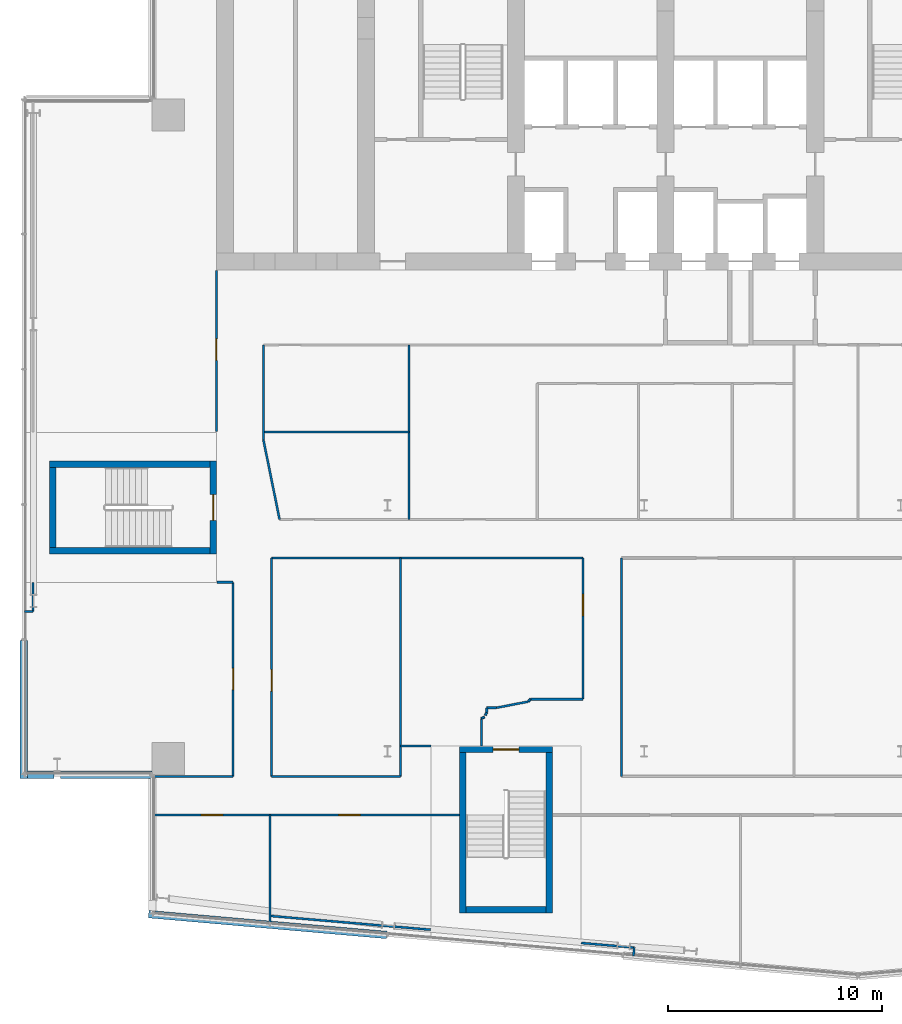
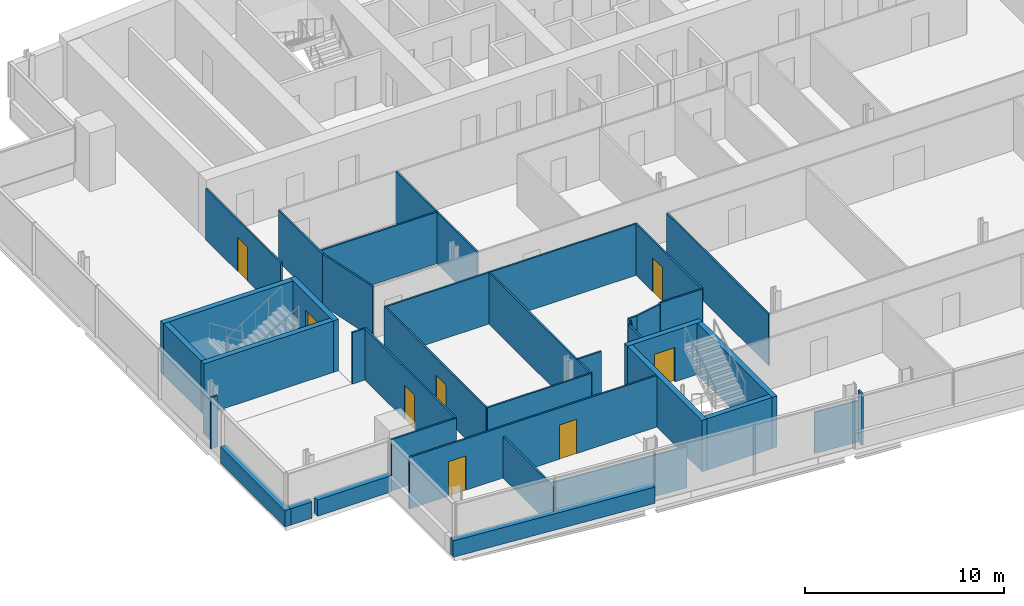
# One storey, part 15 of 24: 42 walls, 8 doors, 8 openings.
"""IFC4 building model written with IfcOpenShell, lengths in metres."""

from ifc_helpers import new_model, si_unit, direction, frame, frame_2d, origin, place, context, subcontext, project, spatial, rectangle, extrude, material, layer, layer_set, type_object, element, fill, save


model = new_model("IFC4")

# Units and contexts
model_context = context("Model", 3, precision=1e-05, world=origin(), true_north=direction((0.0, 1.0)))
body_context = subcontext(model_context, "Body", "Model", "MODEL_VIEW")
ifc_project = project(units=[si_unit("LENGTHUNIT", "METRE"), si_unit("AREAUNIT", "SQUARE_METRE"), si_unit("VOLUMEUNIT", "CUBIC_METRE"), si_unit("PLANEANGLEUNIT", "RADIAN"), si_unit("MASSUNIT", "GRAM", prefix="KILO")], contexts=[model_context])

# Site, building, storey
site_placement = place(None, origin())
site = spatial("IfcSite", under=ifc_project, at=site_placement, CompositionType="ELEMENT")
building_placement = place(site_placement, origin())
building = spatial("IfcBuilding", under=site, at=building_placement, Name="Wharfspan Tower", CompositionType="ELEMENT")
storey_placement = place(building_placement, frame((0.0, 0.0, 198.699951)))
storey = spatial("IfcBuildingStorey", under=building, at=storey_placement, Name="L49", CompositionType="ELEMENT", Elevation=198.699951)

# Wall, openings, doors
ifc_material_1 = material(Name="Gypsum board on steel studs", Category="steel")
ifc_layer_1 = layer(ifc_material_1, 0.100098)
ifc_layer_set_1 = layer_set([ifc_layer_1], Name="Gypsum board on steel studs")
wall_type_1 = type_object("IfcWallType", Name="Compartment wall 100 EI 60", PredefinedType="PARTITIONING", material=ifc_layer_set_1)
wall_1_placement = place(storey_placement, frame((13.02002, 8.52002, 0.0), z_axis=(0.0, 0.0, 1.0), x_axis=(1.0, 0.0, 0.0)))
wall_1 = element("IfcWall", 1, at=wall_1_placement, inside=storey, type_object=wall_type_1, Name="Partition L49.w004", PredefinedType="PARTITIONING", context=body_context, shape_type="SweptSolid", body=[
    extrude(rectangle(XDim=14.344238, YDim=0.100098, at=frame_2d((7.172119, 0.0))), origin(), (0.0, 0.0, 1.0), 3.150146),
])
opening_1_placement = place(wall_1_placement, frame((2.280029, 0.0, 0.0)))
opening_1 = element("IfcOpeningElement", 2, at=opening_1_placement, cuts=wall_1, Name="Opening C6-01", PredefinedType="OPENING", context=body_context, shape_type="SweptSolid", body=[
    extrude(rectangle(XDim=1.0, YDim=2.100098, at=frame_2d((0.5, 1.050049))), frame((0.0, 0.060059, 0.0), z_axis=(0.0, -1.0, 0.0), x_axis=(1.0, 0.0, 0.0)), (0.0, 0.0, 1.0), 0.120117),
])
opening_2_placement = place(wall_1_placement, frame((8.699951, 0.0, 0.0)))
opening_2 = element("IfcOpeningElement", 3, at=opening_2_placement, cuts=wall_1, Name="Opening C6-02", PredefinedType="OPENING", context=body_context, shape_type="SweptSolid", body=[
    extrude(rectangle(XDim=1.0, YDim=2.100098, at=frame_2d((0.5, 1.050049))), frame((0.0, 0.060059, 0.0), z_axis=(0.0, -1.0, 0.0), x_axis=(1.0, 0.0, 0.0)), (0.0, 0.0, 1.0), 0.120117),
])
ifc_material_2 = material(Name="Fire-rated timber door leaf in steel frame", Category="steel")
door_type_1 = type_object("IfcDoorType", Name="Door 1000 FD30S Left", OperationType="SINGLE_SWING_LEFT", PredefinedType="DOOR", material=ifc_material_2)
door_1_placement = place(opening_1_placement, origin())
door_1 = element("IfcDoor", 4, at=door_1_placement, inside=storey, type_object=door_type_1, Name="Door C6-01", OperationType="SINGLE_SWING_LEFT", OverallHeight=2.100098, OverallWidth=1.0, PredefinedType="DOOR", context=body_context, shape_type="SweptSolid", body=[
    extrude(rectangle(XDim=1.0, YDim=2.100098, at=frame_2d((0.5, 1.050049))), frame((0.0, 0.024902, 0.0), z_axis=(0.0, -1.0, 0.0), x_axis=(1.0, 0.0, 0.0)), (0.0, 0.0, 1.0), 0.050049),
])
fill(opening_1, door_1)
door_type_2 = type_object("IfcDoorType", Name="Door 1000 FD30S Right", OperationType="SINGLE_SWING_RIGHT", PredefinedType="DOOR", material=ifc_material_2)
door_2_placement = place(opening_2_placement, origin())
door_2 = element("IfcDoor", 5, at=door_2_placement, inside=storey, type_object=door_type_2, Name="Door C6-02", OperationType="SINGLE_SWING_RIGHT", OverallHeight=2.100098, OverallWidth=1.0, PredefinedType="DOOR", context=body_context, shape_type="SweptSolid", body=[
    extrude(rectangle(XDim=1.0, YDim=2.100098, at=frame_2d((0.5, 1.050049))), frame((0.0, 0.024902, 0.0), z_axis=(0.0, -1.0, 0.0), x_axis=(1.0, 0.0, 0.0)), (0.0, 0.0, 1.0), 0.050049),
])
fill(opening_2, door_2)

# Wall
wall_2_placement = place(storey_placement, frame((13.02002, 10.324951, 0.0), z_axis=(0.0, 0.0, 1.0), x_axis=(1.0, 0.0, 0.0)))
element("IfcWall", 6, at=wall_2_placement, inside=storey, type_object=wall_type_1, Name="Partition L49.w005", PredefinedType="PARTITIONING", context=body_context, shape_type="SweptSolid", body=[
    extrude(rectangle(XDim=3.764893, YDim=0.100098, at=frame_2d((1.882324, 0.0))), origin(), (0.0, 0.0, 1.0), 3.150146),
])

# Wall, opening, door
wall_3_placement = place(storey_placement, frame((16.0, 26.449951, 0.0), z_axis=(0.0, 0.0, 1.0), x_axis=(0.0, 1.0, 0.0)))
wall_3 = element("IfcWall", 7, at=wall_3_placement, inside=storey, type_object=wall_type_1, Name="Partition L49.w006", PredefinedType="PARTITIONING", context=body_context, shape_type="SweptSolid", body=[
    extrude(rectangle(XDim=7.530029, YDim=0.100098, at=frame_2d((3.765137, 0.0))), origin(), (0.0, 0.0, 1.0), 3.150146),
])
opening_3_placement = place(wall_3_placement, frame((3.330078, 0.0, 0.0)))
opening_3 = element("IfcOpeningElement", 8, at=opening_3_placement, cuts=wall_3, Name="Opening C6-23", PredefinedType="OPENING", context=body_context, shape_type="SweptSolid", body=[
    extrude(rectangle(XDim=1.0, YDim=2.100098, at=frame_2d((0.5, 1.050049))), frame((0.0, 0.060059, 0.0), z_axis=(0.0, -1.0, 0.0), x_axis=(1.0, 0.0, 0.0)), (0.0, 0.0, 1.0), 0.120117),
])
door_3_placement = place(opening_3_placement, origin())
door_3 = element("IfcDoor", 9, at=door_3_placement, inside=storey, type_object=door_type_2, Name="Door C6-23", OperationType="SINGLE_SWING_RIGHT", OverallHeight=2.100098, OverallWidth=1.0, PredefinedType="DOOR", context=body_context, shape_type="SweptSolid", body=[
    extrude(rectangle(XDim=1.0, YDim=2.100098, at=frame_2d((0.5, 1.050049))), frame((0.0, 0.024902, 0.0), z_axis=(0.0, -1.0, 0.0), x_axis=(1.0, 0.0, 0.0)), (0.0, 0.0, 1.0), 0.050049),
])
fill(opening_3, door_3)

# Wall
wall_4_placement = place(storey_placement, frame((16.02002, 19.399902, 0.0), z_axis=(0.0, 0.0, 1.0), x_axis=(1.0, 0.0, 0.0)))
element("IfcWall", 10, at=wall_4_placement, inside=storey, type_object=wall_type_1, Name="Partition L49.w007", PredefinedType="PARTITIONING", context=body_context, shape_type="SweptSolid", body=[
    extrude(rectangle(XDim=0.764893, YDim=0.100098, at=frame_2d((0.382324, 0.0))), origin(), (0.0, 0.0, 1.0), 3.150146),
])

# Wall, opening, door
wall_5_placement = place(storey_placement, frame((16.784912, 10.324951, 0.0), z_axis=(0.0, 0.0, 1.0), x_axis=(0.0, 1.0, 0.0)))
wall_5 = element("IfcWall", 11, at=wall_5_placement, inside=storey, type_object=wall_type_1, Name="Partition L49.w008", PredefinedType="PARTITIONING", context=body_context, shape_type="SweptSolid", body=[
    extrude(rectangle(XDim=9.074951, YDim=0.100098, at=frame_2d((4.537598, 0.0))), origin(), (0.0, 0.0, 1.0), 3.150146),
])
opening_4_placement = place(wall_5_placement, frame((4.054932, 0.0, 0.0)))
opening_4 = element("IfcOpeningElement", 12, at=opening_4_placement, cuts=wall_5, Name="Opening C6-13", PredefinedType="OPENING", context=body_context, shape_type="SweptSolid", body=[
    extrude(rectangle(XDim=1.0, YDim=2.100098, at=frame_2d((0.5, 1.050049))), frame((0.0, 0.060059, 0.0), z_axis=(0.0, -1.0, 0.0), x_axis=(1.0, 0.0, 0.0)), (0.0, 0.0, 1.0), 0.120117),
])
door_4_placement = place(opening_4_placement, origin())
door_4 = element("IfcDoor", 13, at=door_4_placement, inside=storey, type_object=door_type_2, Name="Door C6-13", OperationType="SINGLE_SWING_RIGHT", OverallHeight=2.100098, OverallWidth=1.0, PredefinedType="DOOR", context=body_context, shape_type="SweptSolid", body=[
    extrude(rectangle(XDim=1.0, YDim=2.100098, at=frame_2d((0.5, 1.050049))), frame((0.0, 0.024902, 0.0), z_axis=(0.0, -1.0, 0.0), x_axis=(1.0, 0.0, 0.0)), (0.0, 0.0, 1.0), 0.050049),
])
fill(opening_4, door_4)

# Walls
wall_6_placement = place(storey_placement, frame((18.199951, 26.060059, 0.0), z_axis=(0.0, 0.0, 1.0), x_axis=(0.0, 1.0, 0.0)))
element("IfcWall", 14, at=wall_6_placement, inside=storey, type_object=wall_type_1, Name="Partition L49.w009", PredefinedType="PARTITIONING", context=body_context, shape_type="SweptSolid", body=[
    extrude(rectangle(XDim=4.439941, YDim=0.100098, at=frame_2d((2.219971, 0.0))), origin(), (0.0, 0.0, 1.0), 3.150146),
])
wall_7_placement = place(storey_placement, frame((18.199951, 26.419922, 0.0), z_axis=(0.0, 0.0, 1.0), x_axis=(1.0, 0.0, 0.0)))
element("IfcWall", 15, at=wall_7_placement, inside=storey, type_object=wall_type_1, Name="Partition L49.w010", PredefinedType="PARTITIONING", context=body_context, shape_type="SweptSolid", body=[
    extrude(rectangle(XDim=6.800049, YDim=0.100098, at=frame_2d((3.399902, 0.0))), origin(), (0.0, 0.0, 1.0), 3.150146),
])
wall_8_placement = place(storey_placement, frame((18.5, 3.425049, 0.0), z_axis=(0.0, 0.0, 1.0), x_axis=(0.0, 1.0, 0.0)))
element("IfcWall", 16, at=wall_8_placement, inside=storey, type_object=wall_type_1, Name="Partition L49.w012", PredefinedType="PARTITIONING", context=body_context, shape_type="SweptSolid", body=[
    extrude(rectangle(XDim=5.094971, YDim=0.100098, at=frame_2d((2.547363, 0.0))), origin(), (0.0, 0.0, 1.0), 2.530029),
])

# Wall, opening, door
wall_9_placement = place(storey_placement, frame((18.584961, 10.324951, 0.0), z_axis=(0.0, 0.0, 1.0), x_axis=(0.0, 1.0, 0.0)))
wall_9 = element("IfcWall", 17, at=wall_9_placement, inside=storey, type_object=wall_type_1, Name="Partition L49.w014", PredefinedType="PARTITIONING", context=body_context, shape_type="SweptSolid", body=[
    extrude(rectangle(XDim=10.209961, YDim=0.100098, at=frame_2d((5.10498, 0.0))), origin(), (0.0, 0.0, 1.0), 3.150146),
])
opening_5_placement = place(wall_9_placement, frame((3.98999, 0.0, 0.0)))
opening_5 = element("IfcOpeningElement", 18, at=opening_5_placement, cuts=wall_9, Name="Opening C6-12", PredefinedType="OPENING", context=body_context, shape_type="SweptSolid", body=[
    extrude(rectangle(XDim=1.0, YDim=2.100098, at=frame_2d((0.5, 1.050049))), frame((0.0, 0.060059, 0.0), z_axis=(0.0, -1.0, 0.0), x_axis=(1.0, 0.0, 0.0)), (0.0, 0.0, 1.0), 0.120117),
])
door_5_placement = place(opening_5_placement, origin())
door_5 = element("IfcDoor", 19, at=door_5_placement, inside=storey, type_object=door_type_1, Name="Door C6-12", OperationType="SINGLE_SWING_LEFT", OverallHeight=2.100098, OverallWidth=1.0, PredefinedType="DOOR", context=body_context, shape_type="SweptSolid", body=[
    extrude(rectangle(XDim=1.0, YDim=2.100098, at=frame_2d((0.5, 1.050049))), frame((0.0, 0.024902, 0.0), z_axis=(0.0, -1.0, 0.0), x_axis=(1.0, 0.0, 0.0)), (0.0, 0.0, 1.0), 0.050049),
])
fill(opening_5, door_5)

# Walls
wall_10_placement = place(storey_placement, frame((18.584961, 10.324951, 0.0), z_axis=(0.0, 0.0, 1.0), x_axis=(1.0, 0.0, 0.0)))
element("IfcWall", 20, at=wall_10_placement, inside=storey, type_object=wall_type_1, Name="Partition L49.w015", PredefinedType="PARTITIONING", context=body_context, shape_type="SweptSolid", body=[
    extrude(rectangle(XDim=6.030029, YDim=0.100098, at=frame_2d((3.015137, 0.0))), origin(), (0.0, 0.0, 1.0), 3.150146),
])
wall_11_placement = place(storey_placement, frame((18.584961, 20.534912, 0.0), z_axis=(0.0, 0.0, 1.0), x_axis=(1.0, 0.0, 0.0)))
element("IfcWall", 21, at=wall_11_placement, inside=storey, type_object=wall_type_1, Name="Partition L49.w016", PredefinedType="PARTITIONING", context=body_context, shape_type="SweptSolid", body=[
    extrude(rectangle(XDim=14.554932, YDim=0.100098, at=frame_2d((7.277344, 0.0))), origin(), (0.0, 0.0, 1.0), 3.150146),
])
wall_12_placement = place(storey_placement, frame((18.955078, 22.340088, 0.0), z_axis=(0.0, 0.0, 1.0), x_axis=(-0.198935, 0.980011, 0.0)))
element("IfcWall", 22, at=wall_12_placement, inside=storey, type_object=wall_type_1, Name="Partition L49.w017", PredefinedType="PARTITIONING", context=body_context, shape_type="SweptSolid", body=[
    extrude(rectangle(XDim=3.795898, YDim=0.100098, at=frame_2d((1.897949, 0.0))), origin(), (0.0, 0.0, 1.0), 3.150146),
])
wall_13_placement = place(storey_placement, frame((24.61499, 10.324951, 0.0), z_axis=(0.0, 0.0, 1.0), x_axis=(0.0, 1.0, 0.0)))
element("IfcWall", 23, at=wall_13_placement, inside=storey, type_object=wall_type_1, Name="Partition L49.w019", PredefinedType="PARTITIONING", context=body_context, shape_type="SweptSolid", body=[
    extrude(rectangle(XDim=10.209961, YDim=0.100098, at=frame_2d((5.10498, 0.0))), origin(), (0.0, 0.0, 1.0), 3.150146),
])
wall_14_placement = place(storey_placement, frame((24.620117, 11.745117, 0.0), z_axis=(0.0, 0.0, 1.0), x_axis=(1.0, 0.0, 0.0)))
element("IfcWall", 24, at=wall_14_placement, inside=storey, type_object=wall_type_1, Name="Partition L49.w020", PredefinedType="PARTITIONING", context=body_context, shape_type="SweptSolid", body=[
    extrude(rectangle(XDim=1.406738, YDim=0.100098, at=frame_2d((0.703369, 0.0))), origin(), (0.0, 0.0, 1.0), 3.150146),
])
wall_15_placement = place(storey_placement, frame((25.0, 22.340088, 0.0), z_axis=(0.0, 0.0, 1.0), x_axis=(0.0, 1.0, 0.0)))
element("IfcWall", 25, at=wall_15_placement, inside=storey, type_object=wall_type_1, Name="Partition L49.w021", PredefinedType="PARTITIONING", context=body_context, shape_type="SweptSolid", body=[
    extrude(rectangle(XDim=8.159912, YDim=0.100098, at=frame_2d((4.080078, 0.0))), origin(), (0.0, 0.0, 1.0), 3.150146),
])
wall_16_placement = place(storey_placement, frame((28.389893, 13.034912, 0.0), z_axis=(0.0, 0.0, 1.0), x_axis=(0.900411, 0.435047, 0.0)))
element("IfcWall", 26, at=wall_16_placement, inside=storey, type_object=wall_type_1, Name="Partition L49.w023", PredefinedType="PARTITIONING", context=body_context, shape_type="SweptSolid", body=[
    extrude(rectangle(XDim=0.161133, YDim=0.100098, at=frame_2d((0.080566, 0.0))), origin(), (0.0, 0.0, 1.0), 3.150146),
])
wall_17_placement = place(storey_placement, frame((28.389893, 11.754395, 0.0), z_axis=(0.0, 0.0, 1.0), x_axis=(0.0, 1.0, 0.0)))
element("IfcWall", 27, at=wall_17_placement, inside=storey, type_object=wall_type_1, Name="Partition L49.w024", PredefinedType="PARTITIONING", context=body_context, shape_type="SweptSolid", body=[
    extrude(rectangle(XDim=1.280518, YDim=0.100098, at=frame_2d((0.640137, 0.0))), origin(), (0.0, 0.0, 1.0), 3.150146),
])
wall_18_placement = place(storey_placement, frame((28.574951, 13.185059, 0.0), z_axis=(0.0, 0.0, 1.0), x_axis=(0.461027, 0.88739, 0.0)))
element("IfcWall", 28, at=wall_18_placement, inside=storey, type_object=wall_type_1, Name="Partition L49.w025", PredefinedType="PARTITIONING", context=body_context, shape_type="SweptSolid", body=[
    extrude(rectangle(XDim=0.140869, YDim=0.100098, at=frame_2d((0.070312, 0.0))), origin(), (0.0, 0.0, 1.0), 3.150146),
])
wall_19_placement = place(storey_placement, frame((28.639893, 13.310059, 0.0), z_axis=(0.0, 0.0, 1.0), x_axis=(0.0, 1.0, 0.0)))
element("IfcWall", 29, at=wall_19_placement, inside=storey, type_object=wall_type_1, Name="Partition L49.w026", PredefinedType="PARTITIONING", context=body_context, shape_type="SweptSolid", body=[
    extrude(rectangle(XDim=0.224854, YDim=0.100098, at=frame_2d((0.112305, 0.0))), origin(), (0.0, 0.0, 1.0), 3.150146),
])
wall_20_placement = place(storey_placement, frame((28.639893, 13.534912, 0.0), z_axis=(0.0, 0.0, 1.0), x_axis=(1.0, 0.0, 0.0)))
element("IfcWall", 30, at=wall_20_placement, inside=storey, type_object=wall_type_1, Name="Partition L49.w027", PredefinedType="PARTITIONING", context=body_context, shape_type="SweptSolid", body=[
    extrude(rectangle(XDim=0.460205, YDim=0.100098, at=frame_2d((0.22998, 0.0))), origin(), (0.0, 0.0, 1.0), 3.150146),
])
wall_21_placement = place(storey_placement, frame((29.100098, 13.534912, 0.0), z_axis=(0.0, 0.0, 1.0), x_axis=(0.981576, 0.191072, 0.0)))
element("IfcWall", 31, at=wall_21_placement, inside=storey, type_object=wall_type_1, Name="Partition L49.w028", PredefinedType="PARTITIONING", context=body_context, shape_type="SweptSolid", body=[
    extrude(rectangle(XDim=1.518066, YDim=0.100098, at=frame_2d((0.759033, 0.0))), origin(), (0.0, 0.0, 1.0), 3.150146),
])
wall_22_placement = place(storey_placement, frame((30.590088, 13.824951, 0.0), z_axis=(0.0, 0.0, 1.0), x_axis=(0.671773, 0.740757, 0.0)))
element("IfcWall", 32, at=wall_22_placement, inside=storey, type_object=wall_type_1, Name="Partition L49.w029", PredefinedType="PARTITIONING", context=body_context, shape_type="SweptSolid", body=[
    extrude(rectangle(XDim=0.148682, YDim=0.100098, at=frame_2d((0.074219, 0.0))), origin(), (0.0, 0.0, 1.0), 3.150146),
])
wall_23_placement = place(storey_placement, frame((30.689941, 13.935059, 0.0), z_axis=(0.0, 0.0, 1.0), x_axis=(1.0, 0.0, 0.0)))
element("IfcWall", 33, at=wall_23_placement, inside=storey, type_object=wall_type_1, Name="Partition L49.w030", PredefinedType="PARTITIONING", context=body_context, shape_type="SweptSolid", body=[
    extrude(rectangle(XDim=2.449951, YDim=0.100098, at=frame_2d((1.225098, 0.0))), origin(), (0.0, 0.0, 1.0), 3.150146),
])

# Wall, opening, door
wall_24_placement = place(storey_placement, frame((33.139893, 13.935059, 0.0), z_axis=(0.0, 0.0, 1.0), x_axis=(0.0, 1.0, 0.0)))
wall_24 = element("IfcWall", 34, at=wall_24_placement, inside=storey, type_object=wall_type_1, Name="Partition L49.w034", PredefinedType="PARTITIONING", context=body_context, shape_type="SweptSolid", body=[
    extrude(rectangle(XDim=6.599854, YDim=0.100098, at=frame_2d((3.299805, 0.0))), origin(), (0.0, 0.0, 1.0), 3.150146),
])
opening_6_placement = place(wall_24_placement, frame((3.905029, 0.0, 0.0)))
opening_6 = element("IfcOpeningElement", 35, at=opening_6_placement, cuts=wall_24, Name="Opening C6-14", PredefinedType="OPENING", context=body_context, shape_type="SweptSolid", body=[
    extrude(rectangle(XDim=1.0, YDim=2.100098, at=frame_2d((0.5, 1.050049))), frame((0.0, 0.060059, 0.0), z_axis=(0.0, -1.0, 0.0), x_axis=(1.0, 0.0, 0.0)), (0.0, 0.0, 1.0), 0.120117),
])
door_6_placement = place(opening_6_placement, origin())
door_6 = element("IfcDoor", 36, at=door_6_placement, inside=storey, type_object=door_type_2, Name="Door C6-14", OperationType="SINGLE_SWING_RIGHT", OverallHeight=2.100098, OverallWidth=1.0, PredefinedType="DOOR", context=body_context, shape_type="SweptSolid", body=[
    extrude(rectangle(XDim=1.0, YDim=2.100098, at=frame_2d((0.5, 1.050049))), frame((0.0, 0.024902, 0.0), z_axis=(0.0, -1.0, 0.0), x_axis=(1.0, 0.0, 0.0)), (0.0, 0.0, 1.0), 0.050049),
])
fill(opening_6, door_6)

# Walls
wall_25_placement = place(storey_placement, frame((34.945068, 10.324951, 0.0), z_axis=(0.0, 0.0, 1.0), x_axis=(0.0, 1.0, 0.0)))
element("IfcWall", 37, at=wall_25_placement, inside=storey, type_object=wall_type_1, Name="Partition L49.w035", PredefinedType="PARTITIONING", context=body_context, shape_type="SweptSolid", body=[
    extrude(rectangle(XDim=10.209961, YDim=0.100098, at=frame_2d((5.10498, 0.0))), origin(), (0.0, 0.0, 1.0), 3.150146),
])
ifc_layer_2 = layer(ifc_material_1, 0.100098)
ifc_layer_set_2 = layer_set([ifc_layer_2], Name="Gypsum board on steel studs")
wall_type_2 = type_object("IfcWallType", Name="Partition 100", PredefinedType="PARTITIONING", material=ifc_layer_set_2)
wall_26_placement = place(storey_placement, frame((7.02002, 18.034912, 0.0), z_axis=(0.0, 0.0, 1.0), x_axis=(1.0, 0.0, 0.0)))
element("IfcWall", 38, at=wall_26_placement, inside=storey, type_object=wall_type_2, Name="Partition L49.w001", PredefinedType="PARTITIONING", context=body_context, shape_type="SweptSolid", body=[
    extrude(rectangle(XDim=0.399902, YDim=0.100098, at=frame_2d((0.199951, 0.0))), origin(), (0.0, 0.0, 1.0), 3.150146),
])
wall_27_placement = place(storey_placement, frame((7.419922, 18.034912, 0.0), z_axis=(0.0, 0.0, 1.0), x_axis=(0.0, 1.0, 0.0)))
element("IfcWall", 39, at=wall_27_placement, inside=storey, type_object=wall_type_2, Name="Partition L49.w002", PredefinedType="PARTITIONING", context=body_context, shape_type="SweptSolid", body=[
    extrude(rectangle(XDim=1.344971, YDim=0.100098, at=frame_2d((0.672363, 0.0))), origin(), (0.0, 0.0, 1.0), 2.530029),
])
wall_28_placement = place(storey_placement, frame((26.019287, 3.156738, 0.0), z_axis=(0.0, 0.0, 1.0), x_axis=(-0.996318, 0.085696, 0.0)))
element("IfcWall", 40, at=wall_28_placement, inside=storey, type_object=wall_type_2, Name="Partition L49.w022", PredefinedType="PARTITIONING", context=body_context, shape_type="SweptSolid", body=[
    extrude(rectangle(XDim=7.506836, YDim=0.100098, at=frame_2d((3.753418, 0.0))), origin(), (0.0, 0.0, 1.0), 2.530029),
])
wall_29_placement = place(storey_placement, frame((35.501709, 1.926514, 0.0), z_axis=(0.0, 0.0, 1.0), x_axis=(0.083045, 0.996542, 0.0)))
element("IfcWall", 41, at=wall_29_placement, inside=storey, type_object=wall_type_2, Name="Partition L49.w038", PredefinedType="PARTITIONING", context=body_context, shape_type="SweptSolid", body=[
    extrude(rectangle(XDim=0.399902, YDim=0.100098, at=frame_2d((0.199951, 0.0))), origin(), (0.0, 0.0, 1.0), 3.150146),
])
wall_30_placement = place(storey_placement, frame((35.534912, 2.324951, 0.0), z_axis=(0.0, 0.0, 1.0), x_axis=(-0.996311, 0.085867, 0.0)))
element("IfcWall", 42, at=wall_30_placement, inside=storey, type_object=wall_type_2, Name="Partition L49.w039", PredefinedType="PARTITIONING", context=body_context, shape_type="SweptSolid", body=[
    extrude(rectangle(XDim=2.485107, YDim=0.100098, at=frame_2d((1.242676, 0.0))), origin(), (0.0, 0.0, 1.0), 2.530029),
])
ifc_material_3 = material(Name="Concrete C40/50", Category="concrete")
ifc_layer_3 = layer(ifc_material_3, 0.350098)
ifc_layer_set_3 = layer_set([ifc_layer_3], Name="Concrete C40/50")
wall_type_3 = type_object("IfcWallType", Name="SPANDREL EXPOSED CONCRETE 350", PredefinedType="SOLIDWALL", material=ifc_layer_set_3)
wall_31_placement = place(storey_placement, frame((12.835205, 3.884521, 0.0), z_axis=(0.0, 0.0, 1.0), x_axis=(0.996199, -0.087154, 0.0)))
element("IfcWall", 43, at=wall_31_placement, inside=storey, type_object=wall_type_3, Name="Spandrel upstand L49 S1 1", PredefinedType="SOLIDWALL", context=body_context, shape_type="SweptSolid", body=[
    extrude(rectangle(XDim=11.177002, YDim=0.350098, at=frame_2d((5.588379, 0.0))), origin(), (0.0, 0.0, 1.0), 1.0),
])
wall_32_placement = place(storey_placement, frame((6.995117, 16.689941, 0.0), z_axis=(0.0, 0.0, 1.0), x_axis=(0.0, -1.0, 0.0)))
element("IfcWall", 44, at=wall_32_placement, inside=storey, type_object=wall_type_3, Name="Spandrel upstand L49 W", PredefinedType="SOLIDWALL", context=body_context, shape_type="SweptSolid", body=[
    extrude(rectangle(XDim=6.469971, YDim=0.350098, at=frame_2d((3.234863, 0.0))), origin(), (0.0, 0.0, 1.0), 1.0),
])
wall_33_placement = place(storey_placement, frame((7.169922, 10.39502, 0.0), z_axis=(0.0, 0.0, 1.0), x_axis=(1.0, 0.0, 0.0)))
element("IfcWall", 45, at=wall_33_placement, inside=storey, type_object=wall_type_3, Name="Spandrel upstand L49 NFW-H", PredefinedType="SOLIDWALL", context=body_context, shape_type="SweptSolid", body=[
    extrude(rectangle(XDim=1.238281, YDim=0.350098, at=frame_2d((0.619141, 0.0))), origin(), (0.0, 0.0, 1.0), 1.0),
])
wall_34_placement = place(storey_placement, frame((8.713379, 10.39502, 0.0), z_axis=(0.0, 0.0, 1.0), x_axis=(1.0, 0.0, 0.0)))
element("IfcWall", 46, at=wall_34_placement, inside=storey, type_object=wall_type_3, Name="Spandrel upstand L49 NFW-H 2", PredefinedType="SOLIDWALL", context=body_context, shape_type="SweptSolid", body=[
    extrude(rectangle(XDim=4.286621, YDim=0.350098, at=frame_2d((2.143311, 0.0))), origin(), (0.0, 0.0, 1.0), 1.0),
])

# Wall, opening, door
ifc_layer_4 = layer(ifc_material_3, 0.300049)
ifc_layer_set_4 = layer_set([ifc_layer_4], Name="Concrete C40/50")
wall_type_4 = type_object("IfcWallType", Name="Stair core wall 300", PredefinedType="SHEAR", material=ifc_layer_set_4)
wall_35_placement = place(storey_placement, frame((15.850098, 20.725098, 0.0), z_axis=(0.0, 0.0, 1.0), x_axis=(0.0, 1.0, 0.0)))
wall_35 = element("IfcWall", 47, at=wall_35_placement, inside=storey, type_object=wall_type_4, Name="ST3 stair enclosure wall L49", PredefinedType="SHEAR", context=body_context, shape_type="SweptSolid", body=[
    extrude(rectangle(XDim=4.349854, YDim=0.300049, at=frame_2d((2.174805, 0.0))), origin(), (0.0, 0.0, 1.0), 3.150146),
])
opening_7_placement = place(wall_35_placement, frame((1.574951, 0.0, 0.0)))
opening_7 = element("IfcOpeningElement", 48, at=opening_7_placement, cuts=wall_35, Name="Opening SD3.L49", PredefinedType="OPENING", context=body_context, shape_type="SweptSolid", body=[
    extrude(rectangle(XDim=1.199951, YDim=2.100098, at=frame_2d((0.600098, 1.050049))), frame((0.0, 0.159912, 0.0), z_axis=(0.0, -1.0, 0.0), x_axis=(1.0, 0.0, 0.0)), (0.0, 0.0, 1.0), 0.320068),
])
ifc_material_4 = material(Name="Steel door leaf", Category="steel")
door_type_3 = type_object("IfcDoorType", Name="Stair door 1200x2100", OperationType="SINGLE_SWING_LEFT", PredefinedType="DOOR", material=ifc_material_4)
door_7_placement = place(opening_7_placement, origin())
door_7 = element("IfcDoor", 49, at=door_7_placement, inside=storey, type_object=door_type_3, Name="sd:L49:ST3z3", OperationType="SINGLE_SWING_RIGHT", OverallHeight=2.100098, OverallWidth=1.199951, PredefinedType="DOOR", context=body_context, shape_type="SweptSolid", body=[
    extrude(rectangle(XDim=1.199951, YDim=2.100098, at=frame_2d((0.600098, 1.050049))), frame((0.0, 0.024902, 0.0), z_axis=(0.0, -1.0, 0.0), x_axis=(1.0, 0.0, 0.0)), (0.0, 0.0, 1.0), 0.050049),
])
fill(opening_7, door_7)

wall_36_placement = place(storey_placement, frame((27.364258, 11.584229, 0.0), z_axis=(0.0, 0.0, 1.0), x_axis=(1.0, 0.0, 0.0)))
wall_36 = element("IfcWall", 50, at=wall_36_placement, inside=storey, type_object=wall_type_4, Name="ST4 stair enclosure wall L49", PredefinedType="SHEAR", context=body_context, shape_type="SweptSolid", body=[
    extrude(rectangle(XDim=4.349854, YDim=0.300049, at=frame_2d((2.174805, 0.0))), origin(), (0.0, 0.0, 1.0), 3.150146),
])
opening_8_placement = place(wall_36_placement, frame((1.574951, 0.0, 0.0)))
opening_8 = element("IfcOpeningElement", 51, at=opening_8_placement, cuts=wall_36, Name="Opening SD4.L49", PredefinedType="OPENING", context=body_context, shape_type="SweptSolid", body=[
    extrude(rectangle(XDim=1.199951, YDim=2.100098, at=frame_2d((0.600098, 1.050049))), frame((0.0, 0.159912, 0.0), z_axis=(0.0, -1.0, 0.0), x_axis=(1.0, 0.0, 0.0)), (0.0, 0.0, 1.0), 0.320068),
])
door_8_placement = place(opening_8_placement, origin())
door_8 = element("IfcDoor", 52, at=door_8_placement, inside=storey, type_object=door_type_3, Name="sd:L49:ST4z3", OperationType="SINGLE_SWING_RIGHT", OverallHeight=2.100098, OverallWidth=1.199951, PredefinedType="DOOR", context=body_context, shape_type="SweptSolid", body=[
    extrude(rectangle(XDim=1.199951, YDim=2.100098, at=frame_2d((0.600098, 1.050049))), frame((0.0, 0.024902, 0.0), z_axis=(0.0, -1.0, 0.0), x_axis=(1.0, 0.0, 0.0)), (0.0, 0.0, 1.0), 0.050049),
])
fill(opening_8, door_8)

# Walls
for number, where, z_axis, x_axis, name in (
    (53, (8.199951, 20.875, 0.0), (0.0, 0.0, 1.0), (1.0, 0.0, 0.0), "ST3 stair enclosure wall L49"),
    (54, (8.199951, 24.925049, 0.0), (0.0, 0.0, 1.0), (1.0, 0.0, 0.0), "ST3 stair enclosure wall L49"),
):
    element("IfcWall", number, at=place(storey_placement, frame(where, z_axis=z_axis, x_axis=x_axis)), inside=storey, type_object=wall_type_4, Name=name, PredefinedType="SHEAR", context=body_context, shape_type="SweptSolid", body=[
        extrude(rectangle(XDim=7.5, YDim=0.300049, at=frame_2d((3.75, 0.0))), origin(), (0.0, 0.0, 1.0), 3.150146),
    ])
wall_37_placement = place(storey_placement, frame((8.350098, 21.024902, 0.0), z_axis=(0.0, 0.0, 1.0), x_axis=(0.0, 1.0, 0.0)))
element("IfcWall", 55, at=wall_37_placement, inside=storey, type_object=wall_type_4, Name="ST3 stair enclosure wall L49", PredefinedType="SHEAR", context=body_context, shape_type="SweptSolid", body=[
    extrude(rectangle(XDim=3.75, YDim=0.300049, at=frame_2d((1.875, 0.0))), origin(), (0.0, 0.0, 1.0), 3.150146),
])
for number, where, z_axis, x_axis, name in (
    (56, (27.51416, 3.934326, 0.0), (0.0, 0.0, 1.0), (0.0, 1.0, 0.0), "ST4 stair enclosure wall L49"),
    (57, (31.564209, 3.934326, 0.0), (0.0, 0.0, 1.0), (0.0, 1.0, 0.0), "ST4 stair enclosure wall L49"),
):
    element("IfcWall", number, at=place(storey_placement, frame(where, z_axis=z_axis, x_axis=x_axis)), inside=storey, type_object=wall_type_4, Name=name, PredefinedType="SHEAR", context=body_context, shape_type="SweptSolid", body=[
        extrude(rectangle(XDim=7.5, YDim=0.300049, at=frame_2d((3.75, 0.0))), origin(), (0.0, 0.0, 1.0), 3.150146),
    ])
wall_38_placement = place(storey_placement, frame((27.664307, 4.084229, 0.0), z_axis=(0.0, 0.0, 1.0), x_axis=(1.0, 0.0, 0.0)))
element("IfcWall", 58, at=wall_38_placement, inside=storey, type_object=wall_type_4, Name="ST4 stair enclosure wall L49", PredefinedType="SHEAR", context=body_context, shape_type="SweptSolid", body=[
    extrude(rectangle(XDim=3.75, YDim=0.300049, at=frame_2d((1.875, 0.0))), origin(), (0.0, 0.0, 1.0), 3.150146),
])

save(model, "model.ifc")
